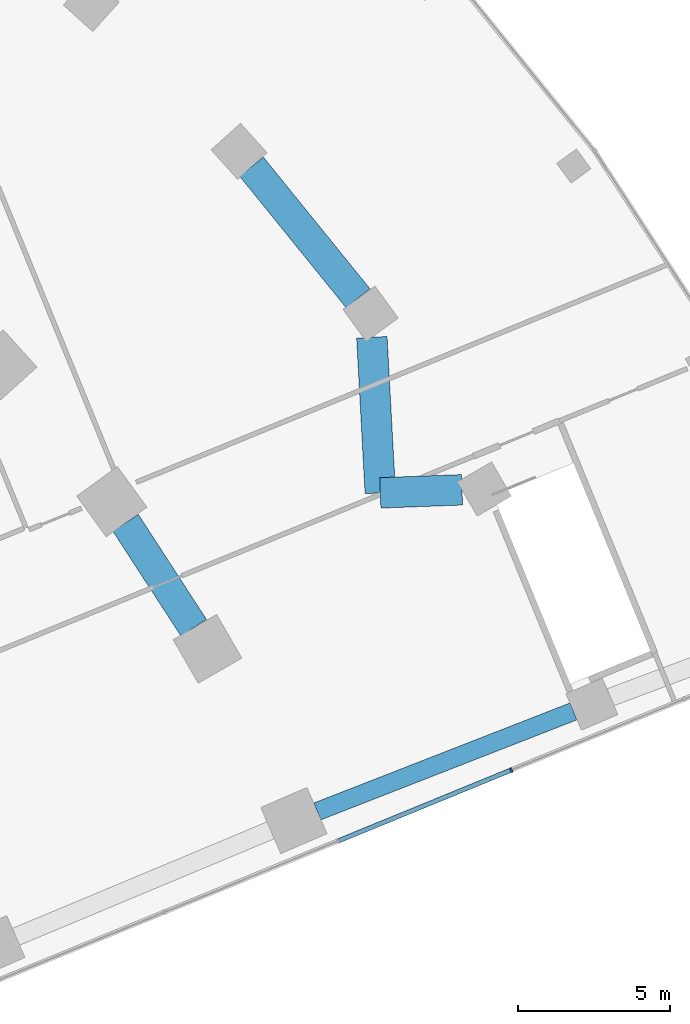
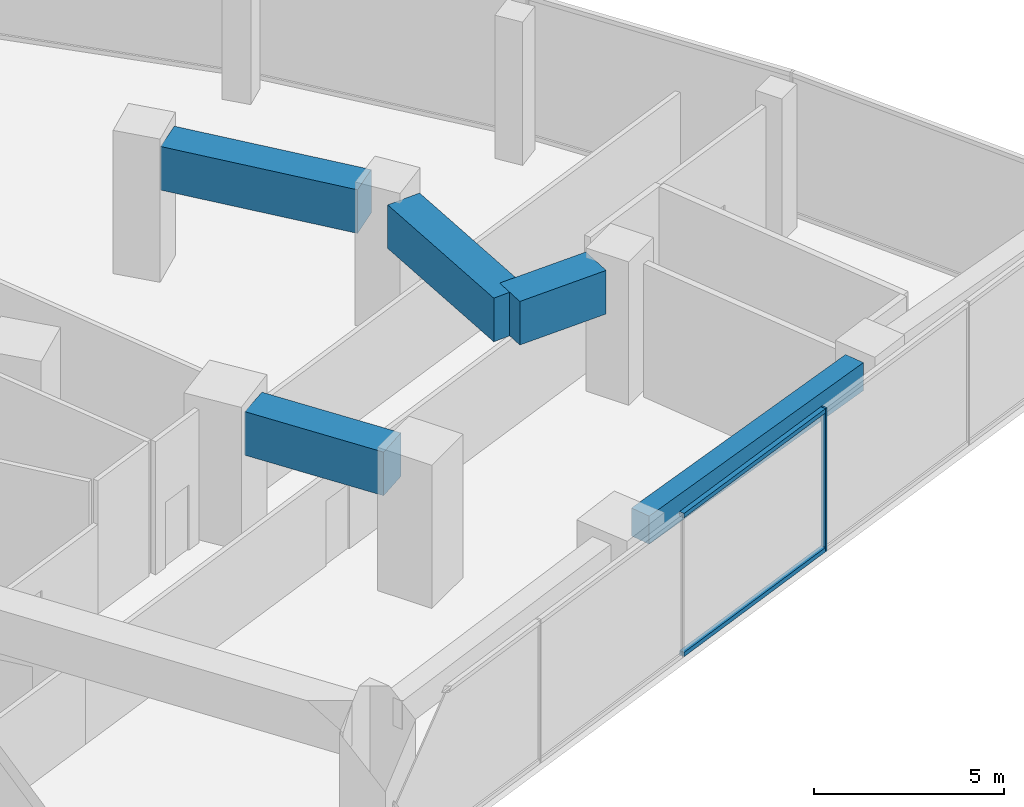
# One storey, part 12 of 33: 5 beams, 3 members, 1 element without a shape of its own.
"""IFC4 building model written with IfcOpenShell, lengths in metres."""

from ifc_helpers import new_model, si_unit, direction, frame, origin, origin_2d, place, context, subcontext, project, spatial, rectangle, extrude, material, layer, layer_set, material_profile, profile_set, type_object, element, aggregate, save


model = new_model("IFC4")

# Units and contexts
model_context = context("Model", 3, precision=1e-05, world=origin(), true_north=direction((0.0, 1.0)))
body_context = subcontext(model_context, "Body", "Model", "MODEL_VIEW")
ifc_project = project(units=[si_unit("LENGTHUNIT", "METRE"), si_unit("AREAUNIT", "SQUARE_METRE"), si_unit("VOLUMEUNIT", "CUBIC_METRE"), si_unit("PLANEANGLEUNIT", "RADIAN"), si_unit("MASSUNIT", "GRAM", prefix="KILO")], contexts=[model_context])

# Site, building, storey
site_placement = place(None, origin())
site = spatial("IfcSite", under=ifc_project, at=site_placement, CompositionType="ELEMENT")
building_placement = place(site_placement, origin())
building = spatial("IfcBuilding", under=site, at=building_placement, Name="Stone Belt Terrace Tower", CompositionType="ELEMENT")
storey_placement = place(building_placement, frame((0.0, 0.0, 25.39990234375)))
storey = spatial("IfcBuildingStorey", under=building, at=storey_placement, Name="L05", CompositionType="ELEMENT", Elevation=25.39990234375)

# Curtain wall, members
ifc_material_1 = material(Name="Aluminium 6063-T6 anodised frame", Category="aluminium")
ifc_layer = layer(ifc_material_1, 0.14990234375)
ifc_layer_set = layer_set([ifc_layer], Name="CW-D podium shopfront")
curtain_wall_type = type_object("IfcCurtainWallType", Name="CW-D podium shopfront", PredefinedType="NOTDEFINED", material=ifc_layer_set)
curtain_wall_placement = place(storey_placement, origin())
curtain_wall = element("IfcCurtainWall", 1, at=curtain_wall_placement, inside=storey, type_object=curtain_wall_type, Name="CW-D end face L05", PredefinedType="NOTDEFINED")
ifc_material_profile_1 = material_profile(ifc_material_1, rectangle(XDim=0.14990234375, YDim=0.06005859375, at=origin_2d()), Name="Aluminium 6063-T6 60x150")
ifc_profile_set_1 = profile_set([ifc_material_profile_1], Name="Aluminium 6063-T6 anodised frame")
member_type_1 = type_object("IfcMemberType", Name="CW-D mullion 60 x 150", PredefinedType="MULLION", material=ifc_profile_set_1)
member_1_placement = place(storey_placement, frame((57.59521484375, 23.52490234375, 0.0), z_axis=(0.0, 0.0, 1.0), x_axis=(-0.379243093825, 0.925297074342, 0.0)))
member_1 = element("IfcMember", 2, at=member_1_placement, type_object=member_type_1, Name="CW-D mullion 6", PredefinedType="MULLION", context=body_context, shape_type="SweptSolid", body=[
    extrude(rectangle(XDim=0.14990234375, YDim=0.06005859375, at=origin_2d()), origin(), (0.0, 0.0, 1.0), 4.60009765625),
])
ifc_material_profile_2 = material_profile(ifc_material_1, rectangle(XDim=0.14990234375, YDim=0.139892578125, at=origin_2d()), Name="Aluminium 6063-T6 150x140")
ifc_profile_set_2 = profile_set([ifc_material_profile_2], Name="Aluminium 6063-T6 anodised frame")
member_type_2 = type_object("IfcMemberType", Name="CW-D transom 140 x 150", PredefinedType="USERDEFINED", material=ifc_profile_set_2)
member_2_placement = place(storey_placement, frame((51.93896484375, 21.206787109375, 0.070068359375), z_axis=(0.925296134112, 0.379245387838, 0.0), x_axis=(-0.379245387838, 0.925296134112, 0.0)))
member_2 = element("IfcMember", 3, at=member_2_placement, type_object=member_type_2, Name="CW-D transom 5.1", ObjectType="TRANSOM", PredefinedType="USERDEFINED", context=body_context, shape_type="SweptSolid", body=[
    extrude(rectangle(XDim=0.14990234375, YDim=0.139892578125, at=origin_2d()), origin(), (0.0, 0.0, 1.0), 6.082763671875),
])
member_3_placement = place(storey_placement, frame((51.93896484375, 21.206787109375, 4.530029296875), z_axis=(0.925296134112, 0.379245387838, 0.0), x_axis=(-0.379245387838, 0.925296134112, 0.0)))
member_3 = element("IfcMember", 4, at=member_3_placement, type_object=member_type_2, Name="CW-D transom 5.2", ObjectType="TRANSOM", PredefinedType="USERDEFINED", context=body_context, shape_type="SweptSolid", body=[
    extrude(rectangle(XDim=0.14990234375, YDim=0.139892578125, at=origin_2d()), origin(), (0.0, 0.0, 1.0), 6.082763671875),
])
aggregate(curtain_wall, [member_1, member_2, member_3])

# Beams
ifc_material_2 = material(Name="Concrete B60", Category="concrete")
ifc_material_profile_3 = material_profile(ifc_material_2, rectangle(XDim=0.60009765625, YDim=0.89990234375, at=origin_2d()), Name="RC 600x900")
ifc_profile_set_3 = profile_set([ifc_material_profile_3], Name="Concrete B60")
beam_type_1 = type_object("IfcBeamType", Name="Edge beam RC 600x900 B60", PredefinedType="SPANDREL", material=ifc_profile_set_3)
beam_1_placement = place(storey_placement, frame((51.235107421875, 22.167724609375, 3.830078125), z_axis=(0.931488596429, 0.363770524813, 0.0), x_axis=(-0.363770524813, 0.931488596429, 0.0)))
element("IfcBeam", 5, at=beam_1_placement, inside=storey, type_object=beam_type_1, Name="Edge beam L05 B Q to R", PredefinedType="SPANDREL", context=body_context, shape_type="SweptSolid", body=[
    extrude(rectangle(XDim=0.60009765625, YDim=0.89990234375, at=origin_2d()), origin(), (0.0, 0.0, 1.0), 9.018798828125),
])
ifc_material_3 = material(Name="Concrete B80", Category="concrete")
ifc_material_profile_4 = material_profile(ifc_material_3, rectangle(XDim=1.0, YDim=1.39990234375, at=origin_2d()), Name="RC 1000x1400")
ifc_profile_set_4 = profile_set([ifc_material_profile_4], Name="Concrete B80")
beam_type_2 = type_object("IfcBeamType", Name="Transfer beam RC 1000x1400 B80", PredefinedType="BEAM", material=ifc_profile_set_4)
beam_2_placement = place(storey_placement, frame((44.94580078125, 31.63525390625, 3.580078125), z_axis=(0.544653800357, -0.838660979036, 0.0), x_axis=(0.838660979036, 0.544653800357, 0.0)))
element("IfcBeam", 6, at=beam_2_placement, inside=storey, type_object=beam_type_2, Name="Transfer beam L05 QQ31-Q32", PredefinedType="BEAM", context=body_context, shape_type="SweptSolid", body=[
    extrude(rectangle(XDim=1.0, YDim=1.39990234375, at=origin_2d()), origin(), (0.0, 0.0, 1.0), 4.104736328125),
])
beam_3_placement = place(storey_placement, frame((53.023681640625, 37.720458984375, 3.580078125), z_axis=(0.054218558085, -0.998529092195, 0.0), x_axis=(0.998529092195, 0.054218558085, 0.0)))
element("IfcBeam", 7, at=beam_3_placement, inside=storey, type_object=beam_type_2, Name="Transfer beam L05 RR31-RB", PredefinedType="BEAM", context=body_context, shape_type="SweptSolid", body=[
    extrude(rectangle(XDim=1.0, YDim=1.39990234375, at=origin_2d()), origin(), (0.0, 0.0, 1.0), 5.11083984375),
])
beam_4_placement = place(storey_placement, frame((53.30078125, 32.6171875, 3.580078125), z_axis=(0.999306325881, 0.03724066399, 0.0), x_axis=(-0.03724066399, 0.999306325881, 0.0)))
element("IfcBeam", 8, at=beam_4_placement, inside=storey, type_object=beam_type_2, Name="Transfer beam L05 RRB-R32", PredefinedType="BEAM", context=body_context, shape_type="SweptSolid", body=[
    extrude(rectangle(XDim=1.0, YDim=1.39990234375, at=origin_2d()), origin(), (0.0, 0.0, 1.0), 2.681396484375),
])
beam_5_placement = place(storey_placement, frame((49.077392578125, 43.314697265625, 3.580078125), z_axis=(0.629327226656, -0.777140426042, 0.0), x_axis=(0.777140426042, 0.629327226656, 0.0)))
element("IfcBeam", 9, at=beam_5_placement, inside=storey, type_object=beam_type_2, Name="Transfer beam L05 RR30-R31", PredefinedType="BEAM", context=body_context, shape_type="SweptSolid", body=[
    extrude(rectangle(XDim=1.0, YDim=1.39990234375, at=origin_2d()), origin(), (0.0, 0.0, 1.0), 5.552978515625),
])

save(model, "model.ifc")
